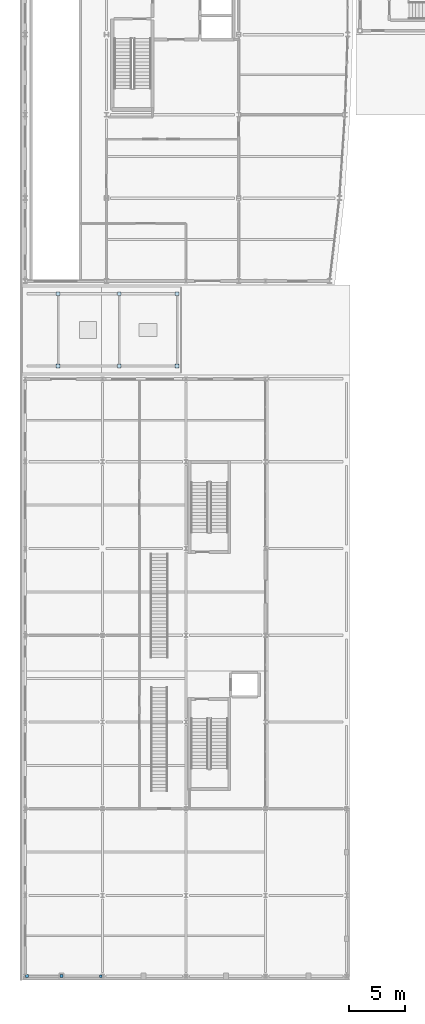
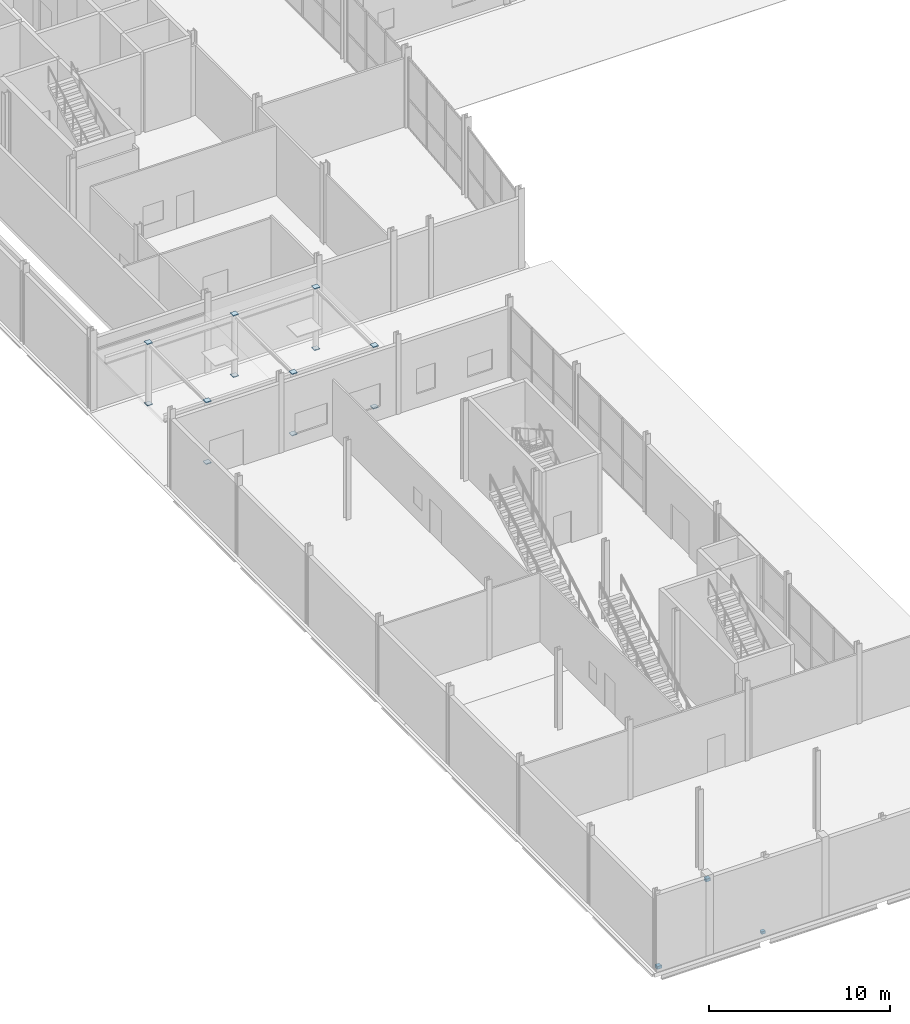
# One storey, part 60 of 83: 15 plates.
"""IFC4 building model written with IfcOpenShell, lengths in metres."""

from ifc_helpers import new_model, si_unit, direction, frame, origin, origin_2d, place, context, subcontext, project, spatial, rectangle, extrude, material, layer, layer_set, type_object, element, save


model = new_model("IFC4")

# Units and contexts
model_context = context("Model", 3, precision=1e-05, world=origin(), true_north=direction((0.0, 1.0)))
body_context = subcontext(model_context, "Body", "Model", "MODEL_VIEW")
ifc_project = project(units=[si_unit("LENGTHUNIT", "METRE"), si_unit("AREAUNIT", "SQUARE_METRE"), si_unit("VOLUMEUNIT", "CUBIC_METRE"), si_unit("PLANEANGLEUNIT", "RADIAN"), si_unit("MASSUNIT", "GRAM", prefix="KILO")], contexts=[model_context])

# Site, building, storey
site_placement = place(None, origin())
site = spatial("IfcSite", under=ifc_project, at=site_placement, CompositionType="ELEMENT")
building_placement = place(site_placement, origin())
building = spatial("IfcBuilding", under=site, at=building_placement, Name="Quillay Park Conservatory", CompositionType="ELEMENT")
storey_placement = place(building_placement, origin())
storey = spatial("IfcBuildingStorey", under=building, at=storey_placement, Name="L00", CompositionType="ELEMENT", Elevation=0.0)

# Plates
ifc_material_1 = material(Name="Steel S355J2H", Category="steel")
ifc_layer_1 = layer(ifc_material_1, 0.02001953125)
ifc_layer_set_1 = layer_set([ifc_layer_1], Name="HOLLOW END CAP PLATE 220 X140 (Steel S355J2H)")
plate_type_1 = type_object("IfcPlateType", Name="HOLLOW END CAP PLATE 220 X140", PredefinedType="USERDEFINED", material=ifc_layer_set_1)
plate_placement = place(storey_placement, frame((7.3564453125, 0.550048828125, 0.05078125), z_axis=(0.0, 0.0, 1.0), x_axis=(1.0, 0.0, 0.0)))
element("IfcPlate", 1, at=plate_placement, inside=storey, type_object=plate_type_1, Name="Hollow steel end cap ECP-0246", ObjectType="FLANGE PLATE", PredefinedType="USERDEFINED", context=body_context, shape_type="SweptSolid", body=[
    extrude(rectangle(XDim=0.219970703125, YDim=0.219970703125, at=origin_2d()), origin(), (0.0, 0.0, 1.0), 0.180419921875),
])
ifc_material_2 = material(Name="Steel S355J2H", Category="steel")
ifc_layer_2 = layer(ifc_material_2, 0.02197265625)
ifc_layer_set_2 = layer_set([ifc_layer_2], Name="HOLLOW END CAP PLATE 270 X170 (Steel S355J2H)")
plate_type_2 = type_object("IfcPlateType", Name="HOLLOW END CAP PLATE 270 X170", PredefinedType="USERDEFINED", material=ifc_layer_set_2)
for number, where, z_axis, x_axis, name in (
    (2, (0.694091796875, 0.550048828125, 0.0419921875), (0.0, 0.0, 1.0), (1.0, 0.0, 0.0), "Hollow steel end cap ECP-0244"),
    (3, (3.805908203125, 0.550048828125, 4.8603515625), (0.0, 0.0, 1.0), (1.0, 0.0, 0.0), "Hollow steel end cap ECP-0245"),
):
    element("IfcPlate", number, at=place(storey_placement, frame(where, z_axis=z_axis, x_axis=x_axis)), inside=storey, type_object=plate_type_2, Name=name, ObjectType="FLANGE PLATE", PredefinedType="USERDEFINED", context=body_context, shape_type="SweptSolid", body=[
        extrude(rectangle(XDim=0.27001953125, YDim=0.27001953125, at=origin_2d()), origin(), (0.0, 0.0, 1.0), 0.197509765625),
    ])
ifc_material_3 = material(Name="Steel S355J2H", Category="steel")
ifc_layer_3 = layer(ifc_material_3, 0.02392578125)
ifc_layer_set_3 = layer_set([ifc_layer_3], Name="HOLLOW END CAP PLATE 340 (Steel S355J2H)")
plate_type_3 = type_object("IfcPlateType", Name="HOLLOW END CAP PLATE 340", PredefinedType="USERDEFINED", material=ifc_layer_set_3)
for number, where, z_axis, x_axis, name in (
    (4, (3.5, 55.39990234375, -0.0390625), (0.0, 0.0, 1.0), (1.0, 0.0, 0.0), "Hollow steel end cap ECP-0073"),
    (5, (3.5, 55.39990234375, 4.123046875), (0.0, 0.0, 1.0), (1.0, 0.0, 0.0), "Hollow steel end cap ECP-0074"),
    (6, (9.0, 55.39990234375, -0.0390625), (0.0, 0.0, 1.0), (1.0, 0.0, 0.0), "Hollow steel end cap ECP-0075"),
    (7, (9.0, 55.39990234375, 4.123046875), (0.0, 0.0, 1.0), (1.0, 0.0, 0.0), "Hollow steel end cap ECP-0076"),
    (8, (14.199951171875, 55.39990234375, -0.0390625), (0.0, 0.0, 1.0), (1.0, 0.0, 0.0), "Hollow steel end cap ECP-0077"),
    (9, (14.199951171875, 55.39990234375, 4.123046875), (0.0, 0.0, 1.0), (1.0, 0.0, 0.0), "Hollow steel end cap ECP-0078"),
    (10, (3.5, 61.89990234375, -0.0390625), (0.0, 0.0, 1.0), (1.0, 0.0, 0.0), "Hollow steel end cap ECP-0079"),
    (11, (3.5, 61.89990234375, 4.123046875), (0.0, 0.0, 1.0), (1.0, 0.0, 0.0), "Hollow steel end cap ECP-0080"),
    (12, (9.0, 61.89990234375, -0.0390625), (0.0, 0.0, 1.0), (1.0, 0.0, 0.0), "Hollow steel end cap ECP-0081"),
    (13, (9.0, 61.89990234375, 4.123046875), (0.0, 0.0, 1.0), (1.0, 0.0, 0.0), "Hollow steel end cap ECP-0082"),
    (14, (14.199951171875, 61.89990234375, -0.0390625), (0.0, 0.0, 1.0), (1.0, 0.0, 0.0), "Hollow steel end cap ECP-0083"),
    (15, (14.199951171875, 61.89990234375, 4.123046875), (0.0, 0.0, 1.0), (1.0, 0.0, 0.0), "Hollow steel end cap ECP-0084"),
):
    element("IfcPlate", number, at=place(storey_placement, frame(where, z_axis=z_axis, x_axis=x_axis)), inside=storey, type_object=plate_type_3, Name=name, ObjectType="FLANGE PLATE", PredefinedType="USERDEFINED", context=body_context, shape_type="SweptSolid", body=[
        extrude(rectangle(XDim=0.344970703125, YDim=0.344970703125, at=origin_2d()), origin(), (0.0, 0.0, 1.0), 0.055908203125),
    ])

save(model, "model.ifc")
